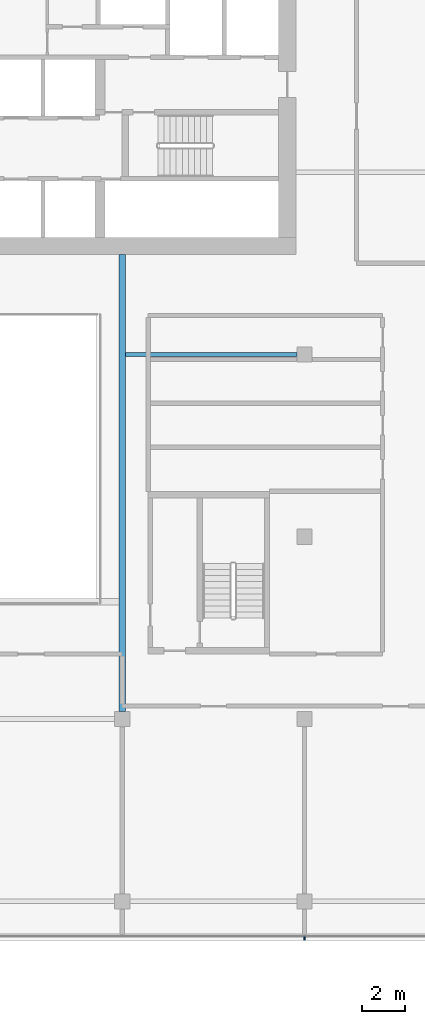
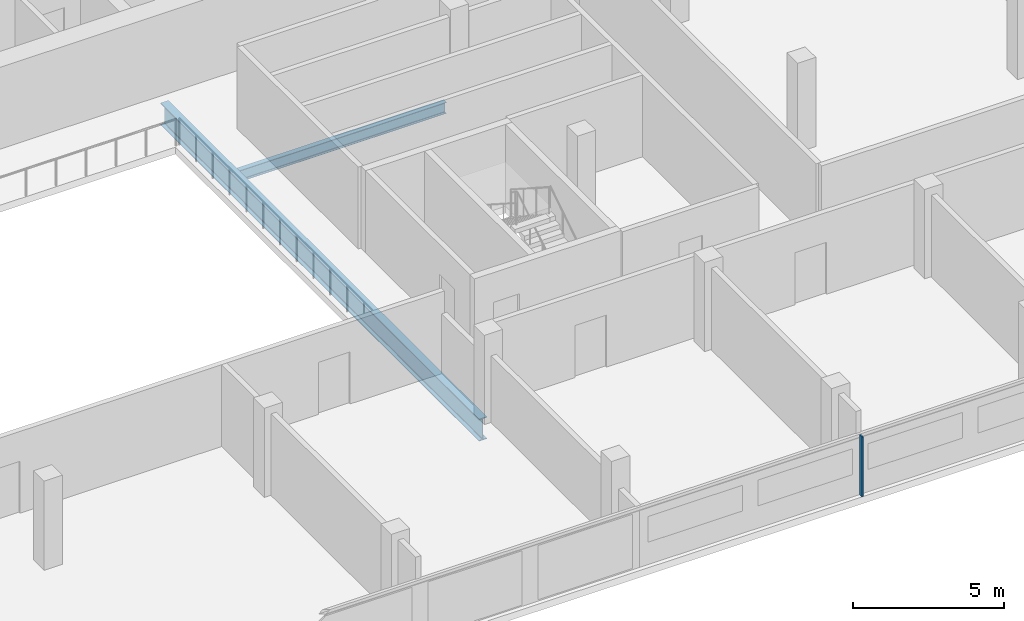
# One storey, part 8 of 24: 2 beams, 1 member, 1 element without a shape of its own.
"""IFC4 building model written with IfcOpenShell, lengths in metres."""

from ifc_helpers import new_model, si_unit, direction, frame, origin, origin_2d, place, context, subcontext, project, spatial, rectangle, i_section, extrude, material, material_profile, profile_set, type_object, element, aggregate, save


model = new_model("IFC4")

# Units and contexts
model_context = context("Model", 3, precision=1e-05, world=origin(), true_north=direction((0.0, 1.0)))
body_context = subcontext(model_context, "Body", "Model", "MODEL_VIEW")
ifc_project = project(units=[si_unit("LENGTHUNIT", "METRE"), si_unit("AREAUNIT", "SQUARE_METRE"), si_unit("VOLUMEUNIT", "CUBIC_METRE"), si_unit("PLANEANGLEUNIT", "RADIAN"), si_unit("MASSUNIT", "GRAM", prefix="KILO")], contexts=[model_context])

# Site, building, storey
site_placement = place(None, origin())
site = spatial("IfcSite", under=ifc_project, at=site_placement, CompositionType="ELEMENT")
building_placement = place(site_placement, origin())
building = spatial("IfcBuilding", under=site, at=building_placement, Name="Saffron Gate Tower", CompositionType="ELEMENT")
storey_placement = place(building_placement, frame((0.0, 0.0, 190.64990234375)))
storey = spatial("IfcBuildingStorey", under=building, at=storey_placement, Name="L47", CompositionType="ELEMENT", Elevation=190.64990234375)

# Beams
ifc_material_1 = material(Name="Structural steel S355", Category="steel")
ifc_material_profile_1 = material_profile(ifc_material_1, i_section(OverallWidth=0.300048828125, OverallDepth=0.889892578125, WebThickness=0.01611328125, FlangeThickness=0.030029296875, FilletRadius=0.030029296875, at=origin_2d()))
ifc_profile_set_1 = profile_set([ifc_material_profile_1], Name="Structural steel S355")
beam_type_1 = type_object("IfcBeamType", Name="B19 HEA 900", PredefinedType="BEAM", material=ifc_profile_set_1)
beam_1_placement = place(storey_placement, frame((100.199951171875, 40.550048828125, -0.724853515625), z_axis=(0.0, 1.0, 0.0), x_axis=(-1.0, 0.0, 0.0)))
element("IfcBeam", 1, at=beam_1_placement, inside=storey, type_object=beam_type_1, Name="B19 ATRIUM GIRDER", PredefinedType="BEAM", context=body_context, shape_type="SweptSolid", body=[
    extrude(i_section(OverallWidth=0.300048828125, OverallDepth=0.889892578125, WebThickness=0.01611328125, FlangeThickness=0.030029296875, FilletRadius=0.030029296875, at=origin_2d()), origin(), (0.0, 0.0, 1.0), 21.050048828125),
])
ifc_material_profile_2 = material_profile(ifc_material_1, i_section(OverallWidth=0.18994140625, OverallDepth=0.449951171875, WebThickness=0.009521484375, FlangeThickness=0.0146484375, FilletRadius=0.02099609375, at=origin_2d()))
ifc_profile_set_2 = profile_set([ifc_material_profile_2], Name="Structural steel S355")
beam_type_2 = type_object("IfcBeamType", Name="B6 IPE 450", PredefinedType="BEAM", material=ifc_profile_set_2)
beam_2_placement = place(storey_placement, frame((108.25, 57.0, -0.5048828125), z_axis=(-1.0, 0.0, 0.0), x_axis=(0.0, -1.0, 0.0)))
element("IfcBeam", 2, at=beam_2_placement, inside=storey, type_object=beam_type_2, Name="B6 CORE TIE BEAM", PredefinedType="BEAM", context=body_context, shape_type="SweptSolid", body=[
    extrude(i_section(OverallWidth=0.18994140625, OverallDepth=0.449951171875, WebThickness=0.009521484375, FlangeThickness=0.0146484375, FilletRadius=0.02099609375, at=origin_2d()), origin(), (0.0, 0.0, 1.0), 7.89990234375),
])

# Curtain wall, member
ifc_material_2 = material(Name="Aluminium, bronze anodised", Category="aluminium")
curtain_wall_type = type_object("IfcCurtainWallType", Name="CWS1 curtain wall front facade", PredefinedType="NOTDEFINED", material=ifc_material_2)
curtain_wall_placement = place(storey_placement, origin())
curtain_wall = element("IfcCurtainWall", 3, at=curtain_wall_placement, inside=storey, type_object=curtain_wall_type, Name="CWS1 run 1", PredefinedType="NOTDEFINED")
ifc_material_profile_3 = material_profile(ifc_material_2, rectangle(XDim=0.159912109375, YDim=0.06005859375, at=origin_2d()))
ifc_profile_set_3 = profile_set([ifc_material_profile_3], Name="Aluminium, bronze anodised")
member_type = type_object("IfcMemberType", Name="CWS1 mullion 60x160", PredefinedType="MULLION", material=ifc_profile_set_3)
member_placement = place(storey_placement, frame((108.60009765625, 30.080078125, 0.0), z_axis=(0.0, 0.0, 1.0), x_axis=(0.0, 1.0, 0.0)))
member = element("IfcMember", 4, at=member_placement, type_object=member_type, Name="CWS1 mullion 8", PredefinedType="MULLION", context=body_context, shape_type="SweptSolid", body=[
    extrude(rectangle(XDim=0.159912109375, YDim=0.06005859375, at=origin_2d()), origin(), (0.0, 0.0, 1.0), 2.41015625),
])
aggregate(curtain_wall, [member])

save(model, "model.ifc")
